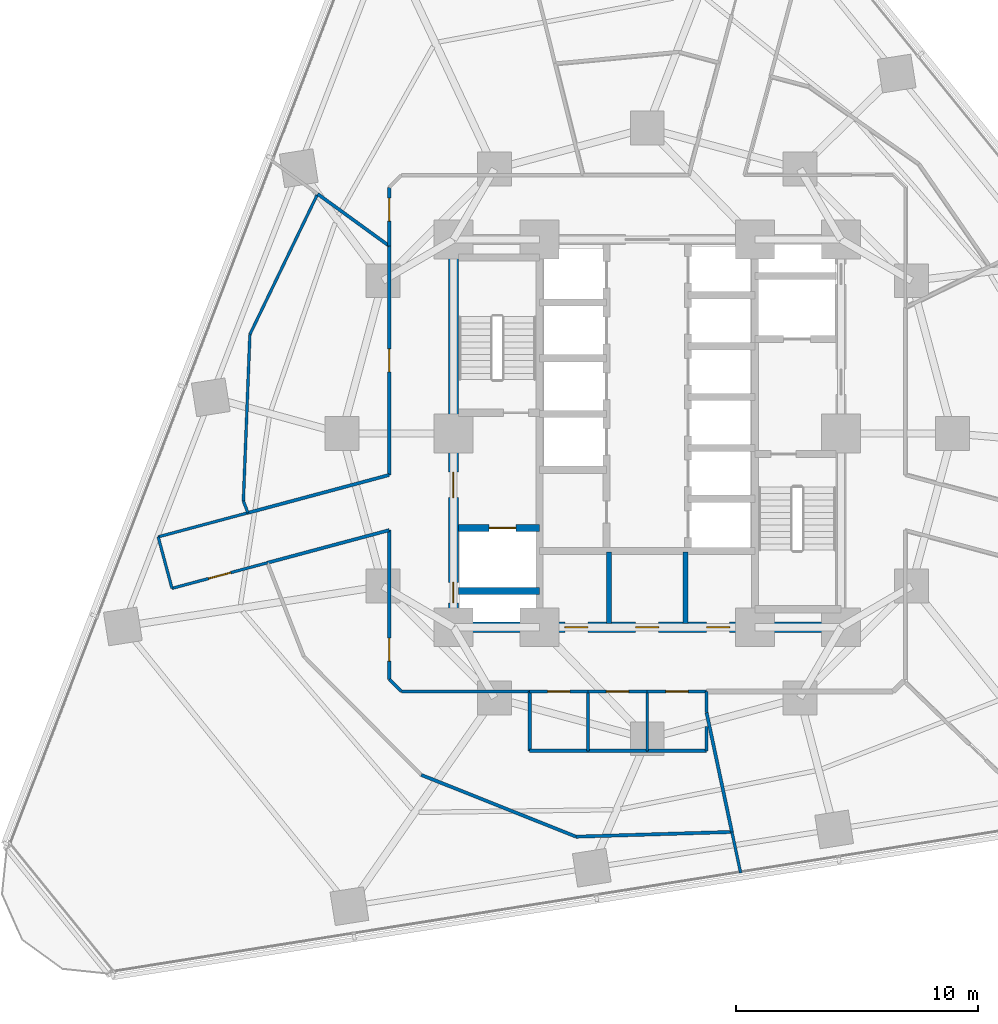
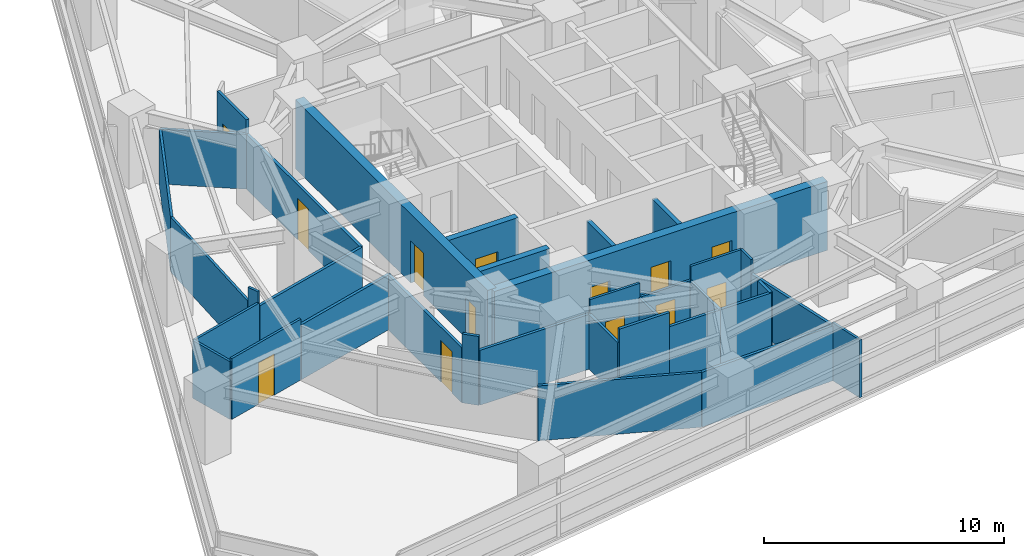
# One storey, part 7 of 14: 35 walls, 13 doors, 13 openings.
"""IFC4 building model written with IfcOpenShell, lengths in metres."""

from ifc_helpers import new_model, si_unit, direction, frame, frame_2d, origin, place, context, subcontext, project, spatial, rectangle, extrude, material, layer, layer_set, type_object, element, fill, save


model = new_model("IFC4")

# Units and contexts
model_context = context("Model", 3, precision=1e-05, world=origin(), true_north=direction((0.0, 1.0)))
body_context = subcontext(model_context, "Body", "Model", "MODEL_VIEW")
ifc_project = project(units=[si_unit("LENGTHUNIT", "METRE"), si_unit("AREAUNIT", "SQUARE_METRE"), si_unit("VOLUMEUNIT", "CUBIC_METRE"), si_unit("PLANEANGLEUNIT", "RADIAN"), si_unit("MASSUNIT", "GRAM", prefix="KILO")], contexts=[model_context])

# Site, building, storey
site_placement = place(None, origin())
site = spatial("IfcSite", under=ifc_project, at=site_placement, CompositionType="ELEMENT")
building_placement = place(site_placement, origin())
building = spatial("IfcBuilding", under=site, at=building_placement, Name="Terralouvre Media Tower", CompositionType="ELEMENT")
storey_placement = place(building_placement, frame((0.0, 0.0, 70.39990234375)))
storey = spatial("IfcBuildingStorey", under=building, at=storey_placement, Name="L17", CompositionType="ELEMENT", Elevation=70.39990234375)

# Wall, opening, door
ifc_material_1 = material(Name="Concrete C50/60", Category="concrete")
ifc_layer_1 = layer(ifc_material_1, 0.300048828125, Name="Core Internal Shaft Wall CW-300")
ifc_layer_set_1 = layer_set([ifc_layer_1], Name="Concrete C50/60")
wall_type_1 = type_object("IfcWallType", Name="Core Internal Shaft Wall CW-300", PredefinedType="SHEAR", material=ifc_layer_set_1)
wall_1_placement = place(storey_placement, frame((-7.7900390625, -3.89990234375, 0.0), z_axis=(0.0, 0.0, 1.0), x_axis=(1.0, 0.0, 0.0)))
wall_1 = element("IfcWall", 1, at=wall_1_placement, inside=storey, type_object=wall_type_1, Name="L17 Core Shaft Wall FF1N", PredefinedType="SHEAR", context=body_context, shape_type="SweptSolid", body=[
    extrude(rectangle(XDim=3.340087890625, YDim=0.300048828125, at=frame_2d((1.669921875, 0.0))), origin(), (0.0, 0.0, 1.0), 3.5),
])
opening_1_placement = place(wall_1_placement, frame((1.27001953125, 0.0, 0.0)))
opening_1 = element("IfcOpeningElement", 2, at=opening_1_placement, cuts=wall_1, Name="Opening LD-FF", PredefinedType="OPENING", context=body_context, shape_type="SweptSolid", body=[
    extrude(rectangle(XDim=1.10009765625, YDim=2.10009765625, at=frame_2d((0.550048828125, 1.050048828125))), frame((0.0, 0.159912109375, 0.0), z_axis=(0.0, -1.0, 0.0), x_axis=(1.0, 0.0, 0.0)), (0.0, 0.0, 1.0), 0.320068359375),
])
ifc_material_2 = material(Name="Stainless steel 316 handrail and balustrade", Category="steel")
door_type_1 = type_object("IfcDoorType", Name="Firefighting Lift Sliding Landing Door LD-FF", OperationType="SLIDING_TO_LEFT", PredefinedType="DOOR", material=ifc_material_2)
door_1_placement = place(opening_1_placement, origin())
door_1 = element("IfcDoor", 3, at=door_1_placement, inside=storey, type_object=door_type_1, Name="L17 Firefighting Lift FFL-01 Landing Door", OperationType="SLIDING_TO_LEFT", OverallHeight=2.10009765625, OverallWidth=1.10009765625, PredefinedType="DOOR", context=body_context, shape_type="SweptSolid", body=[
    extrude(rectangle(XDim=1.10009765625, YDim=2.10009765625, at=frame_2d((0.550048828125, 1.050048828125))), frame((0.0, 0.02490234375, 0.0), z_axis=(0.0, -1.0, 0.0), x_axis=(1.0, 0.0, 0.0)), (0.0, 0.0, 1.0), 0.050048828125),
])
fill(opening_1, door_1)

# Wall
wall_2_placement = place(storey_placement, frame((-7.7900390625, -6.5, 0.0), z_axis=(0.0, 0.0, 1.0), x_axis=(1.0, 0.0, 0.0)))
element("IfcWall", 4, at=wall_2_placement, inside=storey, type_object=wall_type_1, Name="L17 Core Shaft Wall FF1S", PredefinedType="SHEAR", context=body_context, shape_type="SweptSolid", body=[
    extrude(rectangle(XDim=3.340087890625, YDim=0.300048828125, at=frame_2d((1.669921875, 0.0))), origin(), (0.0, 0.0, 1.0), 3.5),
])

# Wall, openings, doors
ifc_material_3 = material(Name="Concrete C60/75", Category="concrete")
ifc_layer_2 = layer(ifc_material_3, 0.419921875, Name="Core Reinforced Concrete Shear Wall CW-420")
ifc_layer_set_2 = layer_set([ifc_layer_2], Name="Concrete C60/75")
wall_type_2 = type_object("IfcWallType", Name="Core Reinforced Concrete Shear Wall CW-420", PredefinedType="SHEAR", material=ifc_layer_set_2)
wall_3_placement = place(storey_placement, frame((-8.0, -8.0, 0.0), z_axis=(0.0, 0.0, 1.0), x_axis=(0.0, 1.0, 0.0)))
wall_3 = element("IfcWall", 5, at=wall_3_placement, inside=storey, type_object=wall_type_2, Name="L17 W Core Shear Wall", PredefinedType="SHEAR", context=body_context, shape_type="SweptSolid", body=[
    extrude(rectangle(XDim=16.0, YDim=0.419921875, at=frame_2d((8.0, 0.0))), origin(), (0.0, 0.0, 1.0), 3.5),
])
opening_2_placement = place(wall_3_placement, frame((1.001708984375, 0.0, 0.0)))
opening_2 = element("IfcOpeningElement", 6, at=opening_2_placement, cuts=wall_3, Name="Opening TD-R1", PredefinedType="OPENING", context=body_context, shape_type="SweptSolid", body=[
    extrude(rectangle(XDim=0.85009765625, YDim=2.02001953125, at=frame_2d((0.425048828125, 1.010009765625))), frame((0.0, 0.219970703125, 0.0), z_axis=(0.0, -1.0, 0.0), x_axis=(1.0, 0.0, 0.0)), (0.0, 0.0, 1.0), 0.43994140625),
])
opening_3_placement = place(wall_3_placement, frame((5.35009765625, 0.0, 0.0)))
opening_3 = element("IfcOpeningElement", 7, at=opening_3_placement, cuts=wall_3, Name="Opening FD-01-105X215", PredefinedType="OPENING", context=body_context, shape_type="SweptSolid", body=[
    extrude(rectangle(XDim=1.050048828125, YDim=2.14990234375, at=frame_2d((0.52490234375, 1.074951171875))), frame((0.0, 0.219970703125, 0.0), z_axis=(0.0, -1.0, 0.0), x_axis=(1.0, 0.0, 0.0)), (0.0, 0.0, 1.0), 0.43994140625),
])
ifc_material_4 = material(Name="Galvanised steel fire-resisting leaf", Category="steel")
door_type_2 = type_object("IfcDoorType", Name="Riser Inspection Access Trapdoor TD-R1", OperationType="NOTDEFINED", PredefinedType="TRAPDOOR", material=ifc_material_4)
door_2_placement = place(opening_2_placement, origin())
door_2 = element("IfcDoor", 8, at=door_2_placement, inside=storey, type_object=door_type_2, Name="L17 Wet Riser Access Trapdoor", OperationType="SINGLE_SWING_LEFT", OverallHeight=2.02001953125, OverallWidth=0.85009765625, PredefinedType="TRAPDOOR", context=body_context, shape_type="SweptSolid", body=[
    extrude(rectangle(XDim=0.85009765625, YDim=2.02001953125, at=frame_2d((0.425048828125, 1.010009765625))), frame((0.0, 0.02490234375, 0.0), z_axis=(0.0, -1.0, 0.0), x_axis=(1.0, 0.0, 0.0)), (0.0, 0.0, 1.0), 0.050048828125),
])
fill(opening_2, door_2)
ifc_material_5 = material(Name="Galvanised steel fire-resisting leaf", Category="steel")
door_type_3 = type_object("IfcDoorType", Name="Stair and Firefighting Lobby Fire Door FD-01 (1050x2150)", OperationType="NOTDEFINED", PredefinedType="DOOR", material=ifc_material_5)
door_3_placement = place(opening_3_placement, origin())
door_3 = element("IfcDoor", 9, at=door_3_placement, inside=storey, type_object=door_type_3, Name="L17 West Firefighting Lobby Entry Door", OperationType="SINGLE_SWING_RIGHT", OverallHeight=2.14990234375, OverallWidth=1.050048828125, PredefinedType="DOOR", context=body_context, shape_type="SweptSolid", body=[
    extrude(rectangle(XDim=1.050048828125, YDim=2.14990234375, at=frame_2d((0.52490234375, 1.074951171875))), frame((0.0, 0.02490234375, 0.0), z_axis=(0.0, -1.0, 0.0), x_axis=(1.0, 0.0, 0.0)), (0.0, 0.0, 1.0), 0.050048828125),
])
fill(opening_3, door_3)

wall_4_placement = place(storey_placement, frame((-8.0, -8.0, 0.0), z_axis=(0.0, 0.0, 1.0), x_axis=(1.0, 0.0, 0.0)))
wall_4 = element("IfcWall", 10, at=wall_4_placement, inside=storey, type_object=wall_type_2, Name="L17 S Core Shear Wall", PredefinedType="SHEAR", context=body_context, shape_type="SweptSolid", body=[
    extrude(rectangle(XDim=16.0, YDim=0.419921875, at=frame_2d((8.0, 0.0))), origin(), (0.0, 0.0, 1.0), 3.5),
])
opening_4_placement = place(wall_4_placement, frame((4.60009765625, 0.0, 0.0)))
opening_4 = element("IfcOpeningElement", 11, at=opening_4_placement, cuts=wall_4, Name="Opening FD-02-95X210", PredefinedType="OPENING", context=body_context, shape_type="SweptSolid", body=[
    extrude(rectangle(XDim=0.949951171875, YDim=2.10009765625, at=frame_2d((0.47509765625, 1.050048828125))), frame((0.0, 0.219970703125, 0.0), z_axis=(0.0, -1.0, 0.0), x_axis=(1.0, 0.0, 0.0)), (0.0, 0.0, 1.0), 0.43994140625),
])
opening_5_placement = place(wall_4_placement, frame((7.52001953125, 0.0, 0.0)))
opening_5 = element("IfcOpeningElement", 12, at=opening_5_placement, cuts=wall_4, Name="Opening FD-02-95X210", PredefinedType="OPENING", context=body_context, shape_type="SweptSolid", body=[
    extrude(rectangle(XDim=0.949951171875, YDim=2.10009765625, at=frame_2d((0.47509765625, 1.050048828125))), frame((0.0, 0.219970703125, 0.0), z_axis=(0.0, -1.0, 0.0), x_axis=(1.0, 0.0, 0.0)), (0.0, 0.0, 1.0), 0.43994140625),
])
opening_6_placement = place(wall_4_placement, frame((10.449951171875, 0.0, 0.0)))
opening_6 = element("IfcOpeningElement", 13, at=opening_6_placement, cuts=wall_4, Name="Opening FD-02-95X210", PredefinedType="OPENING", context=body_context, shape_type="SweptSolid", body=[
    extrude(rectangle(XDim=0.949951171875, YDim=2.10009765625, at=frame_2d((0.47509765625, 1.050048828125))), frame((0.0, 0.219970703125, 0.0), z_axis=(0.0, -1.0, 0.0), x_axis=(1.0, 0.0, 0.0)), (0.0, 0.0, 1.0), 0.43994140625),
])
ifc_material_6 = material(Name="Galvanised steel fire-resisting leaf", Category="steel")
door_type_4 = type_object("IfcDoorType", Name="Plant and Riser Fire Door FD-02 (950x2100)", OperationType="NOTDEFINED", PredefinedType="DOOR", material=ifc_material_6)
door_4_placement = place(opening_4_placement, origin())
door_4 = element("IfcDoor", 14, at=door_4_placement, inside=storey, type_object=door_type_4, Name="L17 Core Janitor Store Door", OperationType="SINGLE_SWING_LEFT", OverallHeight=2.10009765625, OverallWidth=0.949951171875, PredefinedType="DOOR", context=body_context, shape_type="SweptSolid", body=[
    extrude(rectangle(XDim=0.949951171875, YDim=2.10009765625, at=frame_2d((0.47509765625, 1.050048828125))), frame((0.0, 0.02490234375, 0.0), z_axis=(0.0, -1.0, 0.0), x_axis=(1.0, 0.0, 0.0)), (0.0, 0.0, 1.0), 0.050048828125),
])
fill(opening_4, door_4)
door_5_placement = place(opening_5_placement, origin())
door_5 = element("IfcDoor", 15, at=door_5_placement, inside=storey, type_object=door_type_4, Name="L17 Core Linen Store Door", OperationType="SINGLE_SWING_RIGHT", OverallHeight=2.10009765625, OverallWidth=0.949951171875, PredefinedType="DOOR", context=body_context, shape_type="SweptSolid", body=[
    extrude(rectangle(XDim=0.949951171875, YDim=2.10009765625, at=frame_2d((0.47509765625, 1.050048828125))), frame((0.0, 0.02490234375, 0.0), z_axis=(0.0, -1.0, 0.0), x_axis=(1.0, 0.0, 0.0)), (0.0, 0.0, 1.0), 0.050048828125),
])
fill(opening_5, door_5)
door_6_placement = place(opening_6_placement, origin())
door_6 = element("IfcDoor", 16, at=door_6_placement, inside=storey, type_object=door_type_4, Name="L17 Core Metering Plant Door", OperationType="SINGLE_SWING_LEFT", OverallHeight=2.10009765625, OverallWidth=0.949951171875, PredefinedType="DOOR", context=body_context, shape_type="SweptSolid", body=[
    extrude(rectangle(XDim=0.949951171875, YDim=2.10009765625, at=frame_2d((0.47509765625, 1.050048828125))), frame((0.0, 0.02490234375, 0.0), z_axis=(0.0, -1.0, 0.0), x_axis=(1.0, 0.0, 0.0)), (0.0, 0.0, 1.0), 0.050048828125),
])
fill(opening_6, door_6)

# Walls
ifc_material_7 = material(Name="Fire-rated gypsum board drywall partition")
ifc_layer_3 = layer(ifc_material_7, 0.199951171875, Name="Fire-Rated Shaft and Lobby Partition FW-200")
ifc_layer_set_3 = layer_set([ifc_layer_3], Name="Fire-rated gypsum board drywall partition")
wall_type_3 = type_object("IfcWallType", Name="Fire-Rated Shaft and Lobby Partition FW-200", PredefinedType="SOLIDWALL", material=ifc_layer_set_3)
for number, where, z_axis, x_axis, name in (
    (17, (-1.580078125, -7.85009765625, 0.0), (0.0, 0.0, 1.0), (0.0, 1.0, 0.0), "L17 Core Service Bay Partition 1"),
    (18, (1.580078125, -7.85009765625, 0.0), (0.0, 0.0, 1.0), (0.0, 1.0, 0.0), "L17 Core Service Bay Partition 2"),
):
    element("IfcWall", number, at=place(storey_placement, frame(where, z_axis=z_axis, x_axis=x_axis)), inside=storey, type_object=wall_type_3, Name=name, PredefinedType="SOLIDWALL", context=body_context, shape_type="SweptSolid", body=[
        extrude(rectangle(XDim=2.9501953125, YDim=0.199951171875, at=frame_2d((1.47509765625, 0.0))), origin(), (0.0, 0.0, 1.0), 2.885009765625),
    ])
ifc_material_8 = material(Name="Fire-rated gypsum board drywall partition")
ifc_layer_4 = layer(ifc_material_8, 0.135009765625, Name="Newsroom Acoustic Partition PT-135")
ifc_layer_set_4 = layer_set([ifc_layer_4], Name="Fire-rated gypsum board drywall partition")
wall_type_4 = type_object("IfcWallType", Name="Newsroom Acoustic Partition PT-135", PredefinedType="PARTITIONING", material=ifc_layer_set_4)
wall_5_placement = place(storey_placement, frame((-15.677001953125, -5.339111328125, 0.0), z_axis=(0.0, 0.0, 1.0), x_axis=(0.965918107115, 0.258847851734, 0.0)))
element("IfcWall", 19, at=wall_5_placement, inside=storey, type_object=wall_type_4, Name="L17 Interior Partition 006", PredefinedType="PARTITIONING", context=body_context, shape_type="SweptSolid", body=[
    extrude(rectangle(XDim=5.20458984375, YDim=0.135009765625, at=frame_2d((2.602294921875, 0.0))), origin(), (0.0, 0.0, 1.0), 2.78515625),
])

# Wall, opening, door
wall_6_placement = place(storey_placement, frame((-10.64990234375, -3.991943359375, 0.0), z_axis=(0.0, 0.0, 1.0), x_axis=(0.0, -1.0, 0.0)))
wall_6 = element("IfcWall", 20, at=wall_6_placement, inside=storey, type_object=wall_type_4, Name="L17 Interior Partition 007", PredefinedType="PARTITIONING", context=body_context, shape_type="SweptSolid", body=[
    extrude(rectangle(XDim=6.157958984375, YDim=0.135009765625, at=frame_2d((3.0791015625, 0.0))), origin(), (0.0, 0.0, 1.0), 2.78515625),
])
opening_7_placement = place(wall_6_placement, frame((4.451416015625, 0.0, 0.0)))
opening_7 = element("IfcOpeningElement", 21, at=opening_7_placement, cuts=wall_6, Name="Opening ID-02-95X210", PredefinedType="OPENING", context=body_context, shape_type="SweptSolid", body=[
    extrude(rectangle(XDim=0.949951171875, YDim=2.10009765625, at=frame_2d((0.47509765625, 1.050048828125))), frame((0.0, 0.077392578125, 0.0), z_axis=(0.0, -1.0, 0.0), x_axis=(1.0, 0.0, 0.0)), (0.0, 0.0, 1.0), 0.155029296875),
])
ifc_material_9 = material(Name="Engineered hardwood acoustic timber leaf", Category="wood")
door_type_5 = type_object("IfcDoorType", Name="Office and Meeting Room Door ID-02 (950x2100)", OperationType="NOTDEFINED", PredefinedType="DOOR", material=ifc_material_9)
door_7_placement = place(opening_7_placement, origin())
door_7 = element("IfcDoor", 22, at=door_7_placement, inside=storey, type_object=door_type_5, Name="L17 Acoustic Listening Study 2 Door", OperationType="SINGLE_SWING_LEFT", OverallHeight=2.10009765625, OverallWidth=0.949951171875, PredefinedType="DOOR", context=body_context, shape_type="SweptSolid", body=[
    extrude(rectangle(XDim=0.949951171875, YDim=2.10009765625, at=frame_2d((0.47509765625, 1.050048828125))), frame((0.0, 0.02490234375, 0.0), z_axis=(0.0, -1.0, 0.0), x_axis=(1.0, 0.0, 0.0)), (0.0, 0.0, 1.0), 0.050048828125),
])
fill(opening_7, door_7)

# Walls
wall_7_placement = place(storey_placement, frame((-10.64990234375, -10.14990234375, 0.0), z_axis=(0.0, 0.0, 1.0), x_axis=(0.707106781187, -0.707106781187, 0.0)))
element("IfcWall", 23, at=wall_7_placement, inside=storey, type_object=wall_type_4, Name="L17 Interior Partition 008", PredefinedType="PARTITIONING", context=body_context, shape_type="SweptSolid", body=[
    extrude(rectangle(XDim=0.70703125, YDim=0.135009765625, at=frame_2d((0.353515625, 0.0))), origin(), (0.0, 0.0, 1.0), 3.5),
])
wall_8_placement = place(storey_placement, frame((-10.14990234375, -10.64990234375, 0.0), z_axis=(0.0, 0.0, 1.0), x_axis=(1.0, 0.0, 0.0)))
element("IfcWall", 24, at=wall_8_placement, inside=storey, type_object=wall_type_4, Name="L17 Interior Partition 009", PredefinedType="PARTITIONING", context=body_context, shape_type="SweptSolid", body=[
    extrude(rectangle(XDim=5.2998046875, YDim=0.135009765625, at=frame_2d((2.64990234375, 0.0))), origin(), (0.0, 0.0, 1.0), 2.78515625),
])

# Wall, opening, door
wall_9_placement = place(storey_placement, frame((-10.64990234375, 7.738037109375, 0.0), z_axis=(0.0, 0.0, 1.0), x_axis=(0.0, -1.0, 0.0)))
wall_9 = element("IfcWall", 25, at=wall_9_placement, inside=storey, type_object=wall_type_4, Name="L17 Interior Partition 018", PredefinedType="PARTITIONING", context=body_context, shape_type="SweptSolid", body=[
    extrude(rectangle(XDim=9.453125, YDim=0.135009765625, at=frame_2d((4.7265625, 0.0))), origin(), (0.0, 0.0, 1.0), 2.78515625),
])
opening_8_placement = place(wall_9_placement, frame((4.25146484375, 0.0, 0.0)))
opening_8 = element("IfcOpeningElement", 26, at=opening_8_placement, cuts=wall_9, Name="Opening ID-02-95X210", PredefinedType="OPENING", context=body_context, shape_type="SweptSolid", body=[
    extrude(rectangle(XDim=0.949951171875, YDim=2.10009765625, at=frame_2d((0.47509765625, 1.050048828125))), frame((0.0, 0.077392578125, 0.0), z_axis=(0.0, -1.0, 0.0), x_axis=(1.0, 0.0, 0.0)), (0.0, 0.0, 1.0), 0.155029296875),
])
door_8_placement = place(opening_8_placement, origin())
door_8 = element("IfcDoor", 27, at=door_8_placement, inside=storey, type_object=door_type_5, Name="L17 Audio Tape Archive Storage 6 Door", OperationType="SINGLE_SWING_LEFT", OverallHeight=2.10009765625, OverallWidth=0.949951171875, PredefinedType="DOOR", context=body_context, shape_type="SweptSolid", body=[
    extrude(rectangle(XDim=0.949951171875, YDim=2.10009765625, at=frame_2d((0.47509765625, 1.050048828125))), frame((0.0, 0.02490234375, 0.0), z_axis=(0.0, -1.0, 0.0), x_axis=(1.0, 0.0, 0.0)), (0.0, 0.0, 1.0), 0.050048828125),
])
fill(opening_8, door_8)

# Wall
wall_10_placement = place(storey_placement, frame((-10.64990234375, -1.715087890625, 0.0), z_axis=(0.0, 0.0, 1.0), x_axis=(-0.965921324617, -0.258835844987, 0.0)))
element("IfcWall", 28, at=wall_10_placement, inside=storey, type_object=wall_type_4, Name="L17 Interior Partition 019", PredefinedType="PARTITIONING", context=body_context, shape_type="SweptSolid", body=[
    extrude(rectangle(XDim=6.03466796875, YDim=0.135009765625, at=frame_2d((3.017333984375, 0.0))), origin(), (0.0, 0.0, 1.0), 2.78515625),
])

# Wall, opening, door
wall_11_placement = place(storey_placement, frame((-10.64990234375, 10.14990234375, 0.0), z_axis=(0.0, 0.0, 1.0), x_axis=(0.0, -1.0, 0.0)))
wall_11 = element("IfcWall", 29, at=wall_11_placement, inside=storey, type_object=wall_type_4, Name="L17 Interior Partition 031", PredefinedType="PARTITIONING", context=body_context, shape_type="SweptSolid", body=[
    extrude(rectangle(XDim=2.411865234375, YDim=0.135009765625, at=frame_2d((1.2060546875, 0.0))), origin(), (0.0, 0.0, 1.0), 3.5),
])
opening_9_placement = place(wall_11_placement, frame((0.441650390625, 0.0, 0.0)))
opening_9 = element("IfcOpeningElement", 30, at=opening_9_placement, cuts=wall_11, Name="Opening ID-02-95X210", PredefinedType="OPENING", context=body_context, shape_type="SweptSolid", body=[
    extrude(rectangle(XDim=0.949951171875, YDim=2.10009765625, at=frame_2d((0.47509765625, 1.050048828125))), frame((0.0, 0.077392578125, 0.0), z_axis=(0.0, -1.0, 0.0), x_axis=(1.0, 0.0, 0.0)), (0.0, 0.0, 1.0), 0.155029296875),
])
door_9_placement = place(opening_9_placement, origin())
door_9 = element("IfcDoor", 31, at=door_9_placement, inside=storey, type_object=door_type_5, Name="L17 Audio Producer Office 9 Door", OperationType="SINGLE_SWING_RIGHT", OverallHeight=2.10009765625, OverallWidth=0.949951171875, PredefinedType="DOOR", context=body_context, shape_type="SweptSolid", body=[
    extrude(rectangle(XDim=0.949951171875, YDim=2.10009765625, at=frame_2d((0.47509765625, 1.050048828125))), frame((0.0, 0.02490234375, 0.0), z_axis=(0.0, -1.0, 0.0), x_axis=(1.0, 0.0, 0.0)), (0.0, 0.0, 1.0), 0.050048828125),
])
fill(opening_9, door_9)

# Walls
wall_12_placement = place(storey_placement, frame((-9.327880859375, -14.093017578125, 0.0), z_axis=(0.0, 0.0, 1.0), x_axis=(0.928830986118, -0.370503710139, 0.0)))
element("IfcWall", 32, at=wall_12_placement, inside=storey, type_object=wall_type_4, Name="L17 Interior Partition 037", PredefinedType="PARTITIONING", context=body_context, shape_type="SweptSolid", body=[
    extrude(rectangle(XDim=6.882568359375, YDim=0.135009765625, at=frame_2d((3.44140625, 0.0))), origin(), (0.0, 0.0, 1.0), 2.78515625),
])
wall_13_placement = place(storey_placement, frame((-2.93505859375, -16.64306640625, 0.0), z_axis=(0.0, 0.0, 1.0), x_axis=(0.999535697464, 0.030469484666, 0.0)))
element("IfcWall", 33, at=wall_13_placement, inside=storey, type_object=wall_type_4, Name="L17 Interior Partition 038", PredefinedType="PARTITIONING", context=body_context, shape_type="SweptSolid", body=[
    extrude(rectangle(XDim=6.43408203125, YDim=0.135009765625, at=frame_2d((3.217041015625, 0.0))), origin(), (0.0, 0.0, 1.0), 2.78515625),
])
wall_14_placement = place(storey_placement, frame((-2.449951171875, -13.10009765625, 0.0), z_axis=(0.0, 0.0, 1.0), x_axis=(-1.0, 0.0, 0.0)))
element("IfcWall", 34, at=wall_14_placement, inside=storey, type_object=wall_type_4, Name="L17 Interior Partition 039", PredefinedType="PARTITIONING", context=body_context, shape_type="SweptSolid", body=[
    extrude(rectangle(XDim=2.400146484375, YDim=0.135009765625, at=frame_2d((1.2001953125, 0.0))), origin(), (0.0, 0.0, 1.0), 3.5),
])
wall_15_placement = place(storey_placement, frame((-4.85009765625, -13.10009765625, 0.0), z_axis=(0.0, 0.0, 1.0), x_axis=(0.0, 1.0, 0.0)))
element("IfcWall", 35, at=wall_15_placement, inside=storey, type_object=wall_type_4, Name="L17 Interior Partition 040", PredefinedType="PARTITIONING", context=body_context, shape_type="SweptSolid", body=[
    extrude(rectangle(XDim=2.4501953125, YDim=0.135009765625, at=frame_2d((1.22509765625, 0.0))), origin(), (0.0, 0.0, 1.0), 2.78515625),
])
wall_16_placement = place(storey_placement, frame((0.0, -13.10009765625, 0.0), z_axis=(0.0, 0.0, 1.0), x_axis=(-1.0, 0.0, 0.0)))
element("IfcWall", 36, at=wall_16_placement, inside=storey, type_object=wall_type_4, Name="L17 Interior Partition 041", PredefinedType="PARTITIONING", context=body_context, shape_type="SweptSolid", body=[
    extrude(rectangle(XDim=2.449951171875, YDim=0.135009765625, at=frame_2d((1.22509765625, 0.0))), origin(), (0.0, 0.0, 1.0), 2.78515625),
])
wall_17_placement = place(storey_placement, frame((2.449951171875, -12.103271484375, 0.0), z_axis=(0.0, 0.0, 1.0), x_axis=(0.0, -1.0, 0.0)))
element("IfcWall", 37, at=wall_17_placement, inside=storey, type_object=wall_type_4, Name="L17 Interior Partition 042", PredefinedType="PARTITIONING", context=body_context, shape_type="SweptSolid", body=[
    extrude(rectangle(XDim=0.996826171875, YDim=0.135009765625, at=frame_2d((0.49853515625, 0.0))), origin(), (0.0, 0.0, 1.0), 2.78515625),
])
wall_18_placement = place(storey_placement, frame((2.449951171875, -13.10009765625, 0.0), z_axis=(0.0, 0.0, 1.0), x_axis=(-1.0, 0.0, 0.0)))
element("IfcWall", 38, at=wall_18_placement, inside=storey, type_object=wall_type_4, Name="L17 Interior Partition 043", PredefinedType="PARTITIONING", context=body_context, shape_type="SweptSolid", body=[
    extrude(rectangle(XDim=2.449951171875, YDim=0.135009765625, at=frame_2d((1.22509765625, 0.0))), origin(), (0.0, 0.0, 1.0), 2.78515625),
])
wall_19_placement = place(storey_placement, frame((3.49609375, -16.447021484375, 0.0), z_axis=(0.0, 0.0, 1.0), x_axis=(-0.207934783689, 0.978142691908, 0.0)))
element("IfcWall", 39, at=wall_19_placement, inside=storey, type_object=wall_type_4, Name="L17 Interior Partition 044", PredefinedType="PARTITIONING", context=body_context, shape_type="SweptSolid", body=[
    extrude(rectangle(XDim=5.031005859375, YDim=0.135009765625, at=frame_2d((2.515625, 0.0))), origin(), (0.0, 0.0, 1.0), 2.78515625),
])
wall_20_placement = place(storey_placement, frame((-10.64990234375, 7.738037109375, 0.0), z_axis=(0.0, 0.0, 1.0), x_axis=(-0.809088823189, 0.587686375706, 0.0)))
element("IfcWall", 40, at=wall_20_placement, inside=storey, type_object=wall_type_4, Name="L17 Interior Partition 057", PredefinedType="PARTITIONING", context=body_context, shape_type="SweptSolid", body=[
    extrude(rectangle(XDim=3.64990234375, YDim=0.135009765625, at=frame_2d((1.824951171875, 0.0))), origin(), (0.0, 0.0, 1.0), 2.78515625),
])
ifc_material_10 = material(Name="Fire-rated gypsum board drywall partition")
ifc_layer_5 = layer(ifc_material_10, 0.114990234375, Name="Restroom and Pantry Partition PT-115")
ifc_layer_set_5 = layer_set([ifc_layer_5], Name="Fire-rated gypsum board drywall partition")
wall_type_5 = type_object("IfcWallType", Name="Restroom and Pantry Partition PT-115", PredefinedType="PARTITIONING", material=ifc_layer_set_5)
wall_21_placement = place(storey_placement, frame((-16.47900390625, -3.277099609375, 0.0), z_axis=(0.0, 0.0, 1.0), x_axis=(-0.965962825479, -0.258680922747, 0.0)))
element("IfcWall", 41, at=wall_21_placement, inside=storey, type_object=wall_type_5, Name="L17 Interior Partition 012", PredefinedType="PARTITIONING", context=body_context, shape_type="SweptSolid", body=[
    extrude(rectangle(XDim=3.834716796875, YDim=0.114990234375, at=frame_2d((1.91748046875, 0.0))), origin(), (0.0, 0.0, 1.0), 2.93505859375),
])
wall_22_placement = place(storey_placement, frame((-20.18310546875, -4.26904296875, 0.0), z_axis=(0.0, 0.0, 1.0), x_axis=(0.259105843213, -0.965848933329, 0.0)))
element("IfcWall", 42, at=wall_22_placement, inside=storey, type_object=wall_type_5, Name="L17 Interior Partition 013", PredefinedType="PARTITIONING", context=body_context, shape_type="SweptSolid", body=[
    extrude(rectangle(XDim=2.2001953125, YDim=0.114990234375, at=frame_2d((1.10009765625, 0.0))), origin(), (0.0, 0.0, 1.0), 2.93505859375),
])

# Wall, opening, door
wall_23_placement = place(storey_placement, frame((-19.613037109375, -6.39404296875, 0.0), z_axis=(0.0, 0.0, 1.0), x_axis=(0.965909002028, 0.258881825937, 0.0)))
wall_23 = element("IfcWall", 43, at=wall_23_placement, inside=storey, type_object=wall_type_5, Name="L17 Interior Partition 014", PredefinedType="PARTITIONING", context=body_context, shape_type="SweptSolid", body=[
    extrude(rectangle(XDim=4.074951171875, YDim=0.114990234375, at=frame_2d((2.03759765625, 0.0))), origin(), (0.0, 0.0, 1.0), 3.085205078125),
])
opening_10_placement = place(wall_23_placement, frame((1.5625, 0.0, 0.0)))
opening_10 = element("IfcOpeningElement", 44, at=opening_10_placement, cuts=wall_23, Name="Opening SD-01-95X210", PredefinedType="OPENING", context=body_context, shape_type="SweptSolid", body=[
    extrude(rectangle(XDim=0.949951171875, YDim=2.10009765625, at=frame_2d((0.47509765625, 1.050048828125))), frame((0.0, 0.0673828125, 0.0), z_axis=(0.0, -1.0, 0.0), x_axis=(1.0, 0.0, 0.0)), (0.0, 0.0, 1.0), 0.135009765625),
])
ifc_material_11 = material(Name="Anodised extruded aluminium 6063-T6", Category="aluminium")
door_type_6 = type_object("IfcDoorType", Name="Pantry Pocket Sliding Door SD-01 (950x2100)", OperationType="SLIDING_TO_LEFT", PredefinedType="DOOR", material=ifc_material_11)
door_10_placement = place(opening_10_placement, origin())
door_10 = element("IfcDoor", 45, at=door_10_placement, inside=storey, type_object=door_type_6, Name="L17 Artist Hospitality Kitchen 4 Door", OperationType="SLIDING_TO_LEFT", OverallHeight=2.10009765625, OverallWidth=0.949951171875, PredefinedType="DOOR", context=body_context, shape_type="SweptSolid", body=[
    extrude(rectangle(XDim=0.949951171875, YDim=2.10009765625, at=frame_2d((0.47509765625, 1.050048828125))), frame((0.0, 0.02490234375, 0.0), z_axis=(0.0, -1.0, 0.0), x_axis=(1.0, 0.0, 0.0)), (0.0, 0.0, 1.0), 0.050048828125),
])
fill(opening_10, door_10)

wall_24_placement = place(storey_placement, frame((-4.85009765625, -10.64990234375, 0.0), z_axis=(0.0, 0.0, 1.0), x_axis=(1.0, 0.0, 0.0)))
wall_24 = element("IfcWall", 46, at=wall_24_placement, inside=storey, type_object=wall_type_5, Name="L17 Interior Partition 024", PredefinedType="PARTITIONING", context=body_context, shape_type="SweptSolid", body=[
    extrude(rectangle(XDim=2.400146484375, YDim=0.114990234375, at=frame_2d((1.2001953125, 0.0))), origin(), (0.0, 0.0, 1.0), 3.5),
])
opening_11_placement = place(wall_24_placement, frame((0.739990234375, 0.0, 0.0)))
opening_11 = element("IfcOpeningElement", 47, at=opening_11_placement, cuts=wall_24, Name="Opening ID-03-92X210", PredefinedType="OPENING", context=body_context, shape_type="SweptSolid", body=[
    extrude(rectangle(XDim=0.919921875, YDim=2.10009765625, at=frame_2d((0.4599609375, 1.050048828125))), frame((0.0, 0.0673828125, 0.0), z_axis=(0.0, -1.0, 0.0), x_axis=(1.0, 0.0, 0.0)), (0.0, 0.0, 1.0), 0.135009765625),
])
ifc_material_12 = material(Name="Engineered hardwood acoustic timber leaf", Category="wood")
door_type_7 = type_object("IfcDoorType", Name="Accessible Restroom and Suite Door ID-03 (920x2100)", OperationType="NOTDEFINED", PredefinedType="DOOR", material=ifc_material_12)
door_11_placement = place(opening_11_placement, origin())
door_11 = element("IfcDoor", 48, at=door_11_placement, inside=storey, type_object=door_type_7, Name="L17 Male Restroom WC Door", OperationType="SINGLE_SWING_LEFT", OverallHeight=2.10009765625, OverallWidth=0.919921875, PredefinedType="DOOR", context=body_context, shape_type="SweptSolid", body=[
    extrude(rectangle(XDim=0.919921875, YDim=2.10009765625, at=frame_2d((0.4599609375, 1.050048828125))), frame((0.0, 0.02490234375, 0.0), z_axis=(0.0, -1.0, 0.0), x_axis=(1.0, 0.0, 0.0)), (0.0, 0.0, 1.0), 0.050048828125),
])
fill(opening_11, door_11)

wall_25_placement = place(storey_placement, frame((-2.449951171875, -10.64990234375, 0.0), z_axis=(0.0, 0.0, 1.0), x_axis=(1.0, 0.0, 0.0)))
wall_25 = element("IfcWall", 49, at=wall_25_placement, inside=storey, type_object=wall_type_5, Name="L17 Interior Partition 025", PredefinedType="PARTITIONING", context=body_context, shape_type="SweptSolid", body=[
    extrude(rectangle(XDim=2.449951171875, YDim=0.114990234375, at=frame_2d((1.22509765625, 0.0))), origin(), (0.0, 0.0, 1.0), 2.78515625),
])
opening_12_placement = place(wall_25_placement, frame((0.764892578125, 0.0, 0.0)))
opening_12 = element("IfcOpeningElement", 50, at=opening_12_placement, cuts=wall_25, Name="Opening ID-03-92X210", PredefinedType="OPENING", context=body_context, shape_type="SweptSolid", body=[
    extrude(rectangle(XDim=0.919921875, YDim=2.10009765625, at=frame_2d((0.4599609375, 1.050048828125))), frame((0.0, 0.0673828125, 0.0), z_axis=(0.0, -1.0, 0.0), x_axis=(1.0, 0.0, 0.0)), (0.0, 0.0, 1.0), 0.135009765625),
])
door_12_placement = place(opening_12_placement, origin())
door_12 = element("IfcDoor", 51, at=door_12_placement, inside=storey, type_object=door_type_7, Name="L17 Female Restroom WC Door", OperationType="SINGLE_SWING_RIGHT", OverallHeight=2.10009765625, OverallWidth=0.919921875, PredefinedType="DOOR", context=body_context, shape_type="SweptSolid", body=[
    extrude(rectangle(XDim=0.919921875, YDim=2.10009765625, at=frame_2d((0.4599609375, 1.050048828125))), frame((0.0, 0.02490234375, 0.0), z_axis=(0.0, -1.0, 0.0), x_axis=(1.0, 0.0, 0.0)), (0.0, 0.0, 1.0), 0.050048828125),
])
fill(opening_12, door_12)

wall_26_placement = place(storey_placement, frame((0.0, -10.64990234375, 0.0), z_axis=(0.0, 0.0, 1.0), x_axis=(1.0, 0.0, 0.0)))
wall_26 = element("IfcWall", 52, at=wall_26_placement, inside=storey, type_object=wall_type_5, Name="L17 Interior Partition 026", PredefinedType="PARTITIONING", context=body_context, shape_type="SweptSolid", body=[
    extrude(rectangle(XDim=2.449951171875, YDim=0.114990234375, at=frame_2d((1.22509765625, 0.0))), origin(), (0.0, 0.0, 1.0), 3.5),
])
opening_13_placement = place(wall_26_placement, frame((0.764892578125, 0.0, 0.0)))
opening_13 = element("IfcOpeningElement", 53, at=opening_13_placement, cuts=wall_26, Name="Opening ID-03-92X210", PredefinedType="OPENING", context=body_context, shape_type="SweptSolid", body=[
    extrude(rectangle(XDim=0.919921875, YDim=2.10009765625, at=frame_2d((0.4599609375, 1.050048828125))), frame((0.0, 0.0673828125, 0.0), z_axis=(0.0, -1.0, 0.0), x_axis=(1.0, 0.0, 0.0)), (0.0, 0.0, 1.0), 0.135009765625),
])
door_13_placement = place(opening_13_placement, origin())
door_13 = element("IfcDoor", 54, at=door_13_placement, inside=storey, type_object=door_type_7, Name="L17 Accessible Unisex WC Door", OperationType="SINGLE_SWING_LEFT", OverallHeight=2.10009765625, OverallWidth=0.919921875, PredefinedType="DOOR", context=body_context, shape_type="SweptSolid", body=[
    extrude(rectangle(XDim=0.919921875, YDim=2.10009765625, at=frame_2d((0.4599609375, 1.050048828125))), frame((0.0, 0.02490234375, 0.0), z_axis=(0.0, -1.0, 0.0), x_axis=(1.0, 0.0, 0.0)), (0.0, 0.0, 1.0), 0.050048828125),
])
fill(opening_13, door_13)

# Walls
wall_27_placement = place(storey_placement, frame((-16.47900390625, -3.277099609375, 0.0), z_axis=(0.0, 0.0, 1.0), x_axis=(-0.361072625613, 0.932537698451, 0.0)))
element("IfcWall", 55, at=wall_27_placement, inside=storey, type_object=wall_type_5, Name="L17 Interior Partition 048", PredefinedType="PARTITIONING", context=body_context, shape_type="SweptSolid", body=[
    extrude(rectangle(XDim=0.5234375, YDim=0.114990234375, at=frame_2d((0.26171875, 0.0))), origin(), (0.0, 0.0, 1.0), 3.5),
])
wall_28_placement = place(storey_placement, frame((-16.66796875, -2.7890625, 0.0), z_axis=(0.0, 0.0, 1.0), x_axis=(0.039234181612, 0.99923004308, 0.0)))
element("IfcWall", 56, at=wall_28_placement, inside=storey, type_object=wall_type_5, Name="L17 Interior Partition 049", PredefinedType="PARTITIONING", context=body_context, shape_type="SweptSolid", body=[
    extrude(rectangle(XDim=6.88232421875, YDim=0.114990234375, at=frame_2d((3.441162109375, 0.0))), origin(), (0.0, 0.0, 1.0), 2.78515625),
])
wall_29_placement = place(storey_placement, frame((-16.39794921875, 4.087890625, 0.0), z_axis=(0.0, 0.0, 1.0), x_axis=(0.434403094272, 0.900718575187, 0.0)))
element("IfcWall", 57, at=wall_29_placement, inside=storey, type_object=wall_type_5, Name="L17 Interior Partition 050", PredefinedType="PARTITIONING", context=body_context, shape_type="SweptSolid", body=[
    extrude(rectangle(XDim=6.433837890625, YDim=0.114990234375, at=frame_2d((3.216796875, 0.0))), origin(), (0.0, 0.0, 1.0), 2.78515625),
])
wall_30_placement = place(storey_placement, frame((3.855224609375, -18.138671875, 0.0), z_axis=(0.0, 0.0, 1.0), x_axis=(-0.207667958155, 0.978199375974, 0.0)))
element("IfcWall", 58, at=wall_30_placement, inside=storey, type_object=wall_type_5, Name="L17 Interior Partition 051", PredefinedType="PARTITIONING", context=body_context, shape_type="SweptSolid", body=[
    extrude(rectangle(XDim=1.729248046875, YDim=0.114990234375, at=frame_2d((0.86474609375, 0.0))), origin(), (0.0, 0.0, 1.0), 2.93505859375),
])
for number, where, z_axis, x_axis, name in (
    (59, (-2.449951171875, -13.10009765625, 0.0), (0.0, 0.0, 1.0), (0.0, 1.0, 0.0), "L17 Interior Partition 058"),
    (60, (0.0, -13.10009765625, 0.0), (0.0, 0.0, 1.0), (0.0, 1.0, 0.0), "L17 Interior Partition 059"),
):
    element("IfcWall", number, at=place(storey_placement, frame(where, z_axis=z_axis, x_axis=x_axis)), inside=storey, type_object=wall_type_5, Name=name, PredefinedType="PARTITIONING", context=body_context, shape_type="SweptSolid", body=[
        extrude(rectangle(XDim=2.4501953125, YDim=0.114990234375, at=frame_2d((1.22509765625, 0.0))), origin(), (0.0, 0.0, 1.0), 2.78515625),
    ])
wall_31_placement = place(storey_placement, frame((2.449951171875, -11.52587890625, 0.0), z_axis=(0.0, 0.0, 1.0), x_axis=(0.0, 1.0, 0.0)))
element("IfcWall", 61, at=wall_31_placement, inside=storey, type_object=wall_type_5, Name="L17 Interior Partition 060", PredefinedType="PARTITIONING", context=body_context, shape_type="SweptSolid", body=[
    extrude(rectangle(XDim=0.8759765625, YDim=0.114990234375, at=frame_2d((0.43798828125, 0.0))), origin(), (0.0, 0.0, 1.0), 3.5),
])

save(model, "model.ifc")
